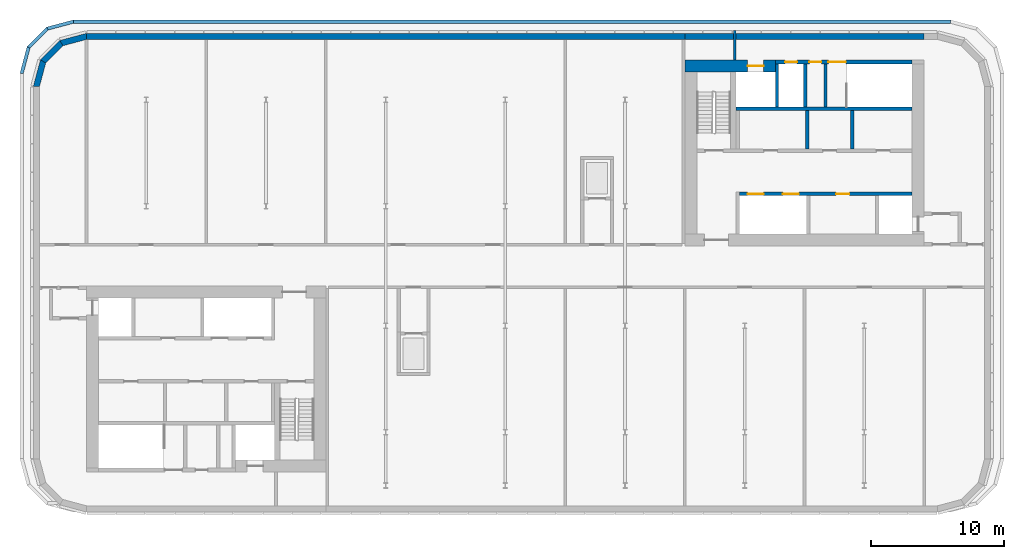
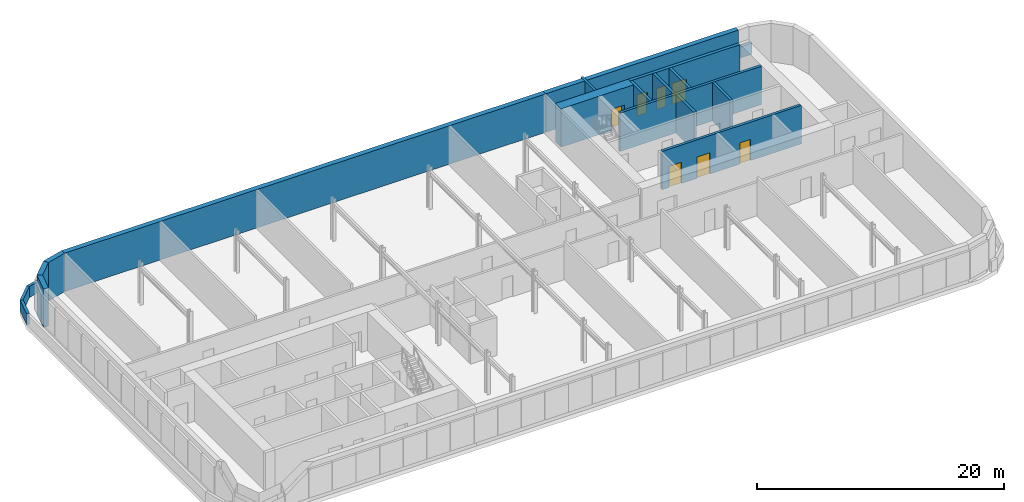
# One storey, part 6 of 10: 19 walls, 7 doors, 7 openings.
"""IFC4 building model written with IfcOpenShell, lengths in metres."""

from ifc_helpers import new_model, si_unit, direction, frame, frame_2d, origin, place, context, subcontext, project, spatial, polyline, rectangle, outline, extrude, material, layer, layer_set, type_object, element, fill, save


model = new_model("IFC4")

# Units and contexts
model_context = context("Model", 3, precision=1e-05, world=origin(), true_north=direction((0.0, 1.0)))
body_context = subcontext(model_context, "Body", "Model", "MODEL_VIEW")
ifc_project = project(units=[si_unit("LENGTHUNIT", "METRE"), si_unit("AREAUNIT", "SQUARE_METRE"), si_unit("VOLUMEUNIT", "CUBIC_METRE"), si_unit("PLANEANGLEUNIT", "RADIAN"), si_unit("MASSUNIT", "GRAM", prefix="KILO")], contexts=[model_context])

# Site, building, storey
site_placement = place(None, origin())
site = spatial("IfcSite", under=ifc_project, at=site_placement, CompositionType="ELEMENT")
building_placement = place(site_placement, origin())
building = spatial("IfcBuilding", under=site, at=building_placement, Name="Kajstack Hotel Tower", CompositionType="ELEMENT")
storey_placement = place(building_placement, frame((0.0, 0.0, 313.60009765625)))
storey = spatial("IfcBuildingStorey", under=building, at=storey_placement, Name="L79", CompositionType="ELEMENT", Elevation=313.60009765625)

# Wall, opening, door
ifc_material_1 = material(Name="Concrete C60/75", Category="concrete")
ifc_layer_1 = layer(ifc_material_1, 0.89990234375)
ifc_layer_set_1 = layer_set([ifc_layer_1], Name="Core wall 900")
wall_type_1 = type_object("IfcWallType", Name="Core wall 900", PredefinedType="SHEAR", material=ifc_layer_set_1)
wall_1_placement = place(storey_placement, frame((13.5, 15.050048828125, 0.0), z_axis=(0.0, 0.0, 1.0), x_axis=(1.0, 0.0, 0.0)))
wall_1 = element("IfcWall", 1, at=wall_1_placement, inside=storey, type_object=wall_type_1, Name="Core wall E RS", PredefinedType="SHEAR", context=body_context, shape_type="SweptSolid", body=[
    extrude(rectangle(XDim=6.800048828125, YDim=0.89990234375, at=frame_2d((3.39990234375, 0.0))), origin(), (0.0, 0.0, 1.0), 3.7998046875),
])
opening_1_placement = place(wall_1_placement, frame((4.72509765625, 0.0, 0.0)))
opening_1 = element("IfcOpeningElement", 2, at=opening_1_placement, cuts=wall_1, Name="Opening LD-SV2", PredefinedType="OPENING", context=body_context, shape_type="SweptSolid", body=[
    extrude(rectangle(XDim=1.199951171875, YDim=2.10009765625, at=frame_2d((0.60009765625, 1.050048828125))), frame((0.0, 0.4599609375, 0.0), z_axis=(0.0, -1.0, 0.0), x_axis=(1.0, 0.0, 0.0)), (0.0, 0.0, 1.0), 0.919921875),
])
ifc_material_2 = material(Name="Stainless steel", Category="steel")
door_type_1 = type_object("IfcDoorType", Name="Lift landing door 1200", OperationType="SLIDING_TO_LEFT", PredefinedType="DOOR", material=ifc_material_2)
door_1_placement = place(opening_1_placement, origin())
door_1 = element("IfcDoor", 3, at=door_1_placement, inside=storey, type_object=door_type_1, Name="Landing door SV2", OperationType="SLIDING_TO_LEFT", OverallHeight=2.10009765625, OverallWidth=1.199951171875, PredefinedType="DOOR", context=body_context, shape_type="SweptSolid", body=[
    extrude(rectangle(XDim=1.199951171875, YDim=2.10009765625, at=frame_2d((0.60009765625, 1.050048828125))), frame((0.0, 0.02490234375, 0.0), z_axis=(0.0, -1.0, 0.0), x_axis=(1.0, 0.0, 0.0)), (0.0, 0.0, 1.0), 0.050048828125),
])
fill(opening_1, door_1)

# Walls
ifc_material_3 = material(Name="Concrete C40/50", Category="concrete")
ifc_layer_2 = layer(ifc_material_3, 0.449951171875)
ifc_layer_set_2 = layer_set([ifc_layer_2], Name="EW-CORE")
wall_type_2 = type_object("IfcWallType", Name="EW-CORE", PredefinedType="SOLIDWALL", material=ifc_layer_set_2)
wall_2_placement = place(storey_placement, frame((31.5, 17.27490234375, 0.0), z_axis=(0.0, 0.0, 1.0), x_axis=(-1.0, 0.0, 0.0)))
element("IfcWall", 4, at=wall_2_placement, inside=storey, type_object=wall_type_2, Name="E-wall-L79-11-01", PredefinedType="SOLIDWALL", context=body_context, shape_type="SweptSolid", body=[
    extrude(rectangle(XDim=18.0, YDim=0.449951171875, at=frame_2d((9.0, 0.0))), origin(), (0.0, 0.0, 1.0), 3.7998046875),
])
ifc_material_4 = material(Name="Zinc-clad block masonry", Category="masonry")
ifc_layer_3 = layer(ifc_material_4, 0.449951171875)
ifc_layer_set_3 = layer_set([ifc_layer_3], Name="EW-ZINC")
wall_type_3 = type_object("IfcWallType", Name="EW-ZINC", PredefinedType="SOLIDWALL", material=ifc_layer_set_3)
wall_3_placement = place(storey_placement, frame((13.5, 17.27490234375, 0.0), z_axis=(0.0, 0.0, 1.0), x_axis=(-1.0, 0.0, 0.0)))
element("IfcWall", 5, at=wall_3_placement, inside=storey, type_object=wall_type_3, Name="E-wall-L79-11-02", PredefinedType="SOLIDWALL", context=body_context, shape_type="SweptSolid", body=[
    extrude(rectangle(XDim=45.0, YDim=0.449951171875, at=frame_2d((22.5, 0.0))), origin(), (0.0, 0.0, 1.0), 3.7998046875),
])
wall_4_placement = place(storey_placement, frame((-31.441650390625, 17.28271484375, 0.0), z_axis=(0.0, 0.0, 1.0), x_axis=(-0.965926999034, -0.25881466832, 0.0)))
element("IfcWall", 6, at=wall_4_placement, inside=storey, type_object=wall_type_3, Name="E-wall-L79-12-00", PredefinedType="SOLIDWALL", context=body_context, shape_type="SweptSolid", body=[
    extrude(outline(polyline([(0.000244140625, -0.22509765625), (2.070556640625, -0.224853515625), (1.9501953125, 0.22509765625), (0.12060546875, 0.22509765625), (0.000244140625, -0.22509765625)])), origin(), (0.0, 0.0, 1.0), 3.7998046875),
])
wall_5_placement = place(storey_placement, frame((-33.3408203125, 16.804931640625, 0.0), z_axis=(0.0, 0.0, 1.0), x_axis=(-0.707106781187, -0.707106781187, 0.0)))
element("IfcWall", 7, at=wall_5_placement, inside=storey, type_object=wall_type_3, Name="E-wall-L79-13-00", PredefinedType="SOLIDWALL", context=body_context, shape_type="SweptSolid", body=[
    extrude(outline(polyline([(0.0, -0.22509765625), (2.070556640625, -0.22509765625), (1.949951171875, 0.224853515625), (0.12060546875, 0.224853515625), (0.0, -0.22509765625)])), origin(), (0.0, 0.0, 1.0), 3.7998046875),
])
wall_6_placement = place(storey_placement, frame((-34.746826171875, 15.441650390625, 0.0), z_axis=(0.0, 0.0, 1.0), x_axis=(-0.25881466832, -0.965926999034, 0.0)))
element("IfcWall", 8, at=wall_6_placement, inside=storey, type_object=wall_type_3, Name="E-wall-L79-14-00", PredefinedType="SOLIDWALL", context=body_context, shape_type="SweptSolid", body=[
    extrude(outline(polyline([(-0.000244140625, -0.224853515625), (2.0703125, -0.22509765625), (1.949951171875, 0.22509765625), (0.120361328125, 0.22509765625), (-0.000244140625, -0.224853515625)])), origin(), (0.0, 0.0, 1.0), 3.7998046875),
])
ifc_layer_4 = layer(ifc_material_4, 0.25)
ifc_layer_set_4 = layer_set([ifc_layer_4], Name="PARAPET-ZINC")
wall_type_4 = type_object("IfcWallType", Name="PARAPET-ZINC", PredefinedType="PARAPET", material=ifc_layer_set_4)
wall_7_placement = place(storey_placement, origin())
element("IfcWall", 9, at=wall_7_placement, inside=storey, type_object=wall_type_4, Name="Parapet L79-01-01-05", PredefinedType="PARAPET", context=body_context, shape_type="SweptSolid", body=[
    extrude(outline(polyline([(-36.5, 14.5), (-36.25, 14.467041015625), (-35.739990234375, 16.37060546875), (-35.964111328125, 16.5), (-36.5, 14.5)])), origin(), (0.0, 0.0, 1.0), 1.099853515625),
])
wall_8_placement = place(storey_placement, origin())
element("IfcWall", 10, at=wall_8_placement, inside=storey, type_object=wall_type_4, Name="Parapet L79-01-01-06", PredefinedType="PARAPET", context=body_context, shape_type="SweptSolid", body=[
    extrude(outline(polyline([(-35.964111328125, 16.5), (-35.739990234375, 16.37060546875), (-34.37060546875, 17.739990234375), (-34.5, 17.964111328125), (-35.964111328125, 16.5)])), origin(), (0.0, 0.0, 1.0), 1.099853515625),
])
wall_9_placement = place(storey_placement, origin())
element("IfcWall", 11, at=wall_9_placement, inside=storey, type_object=wall_type_4, Name="Parapet L79-01-01-07", PredefinedType="PARAPET", context=body_context, shape_type="SweptSolid", body=[
    extrude(outline(polyline([(-34.5, 17.964111328125), (-34.37060546875, 17.739990234375), (-32.467041015625, 18.25), (-32.5, 18.5), (-34.5, 17.964111328125)])), origin(), (0.0, 0.0, 1.0), 1.099853515625),
])
wall_10_placement = place(storey_placement, origin())
element("IfcWall", 12, at=wall_10_placement, inside=storey, type_object=wall_type_4, Name="Parapet L79-01-01-08", PredefinedType="PARAPET", context=body_context, shape_type="SweptSolid", body=[
    extrude(outline(polyline([(-32.5, 18.5), (-32.467041015625, 18.25), (33.467041015625, 18.25), (33.5, 18.5), (-32.5, 18.5)])), origin(), (0.0, 0.0, 1.0), 1.099853515625),
])
ifc_material_5 = material(Name="Concrete block masonry", Category="masonry")
ifc_layer_5 = layer(ifc_material_5, 0.25)
ifc_layer_set_5 = layer_set([ifc_layer_5], Name="Riser partition 250")
wall_type_5 = type_object("IfcWallType", Name="Riser partition 250", PredefinedType="PARTITIONING", material=ifc_layer_set_5)
for number, where, z_axis, x_axis, name in (
    (13, (26.10009765625, 8.800048828125, 0.0), (0.0, 0.0, 1.0), (0.0, 1.0, 0.0), "Partition E BF0"),
    (14, (22.699951171875, 8.800048828125, 0.0), (0.0, 0.0, 1.0), (0.0, 1.0, 0.0), "Partition E BF1"),
):
    element("IfcWall", number, at=place(storey_placement, frame(where, z_axis=z_axis, x_axis=x_axis)), inside=storey, type_object=wall_type_5, Name=name, PredefinedType="PARTITIONING", context=body_context, shape_type="SweptSolid", body=[
        extrude(rectangle(XDim=2.89990234375, YDim=0.25, at=frame_2d((1.449951171875, 0.0))), origin(), (0.0, 0.0, 1.0), 3.7998046875),
    ])
wall_11_placement = place(storey_placement, frame((22.550048828125, 11.949951171875, 0.0), z_axis=(0.0, 0.0, 1.0), x_axis=(0.0, 1.0, 0.0)))
element("IfcWall", 15, at=wall_11_placement, inside=storey, type_object=wall_type_5, Name="Partition E SZ0", PredefinedType="PARTITIONING", context=body_context, shape_type="SweptSolid", body=[
    extrude(rectangle(XDim=3.25, YDim=0.25, at=frame_2d((1.625, 0.0))), origin(), (0.0, 0.0, 1.0), 3.7998046875),
])
ifc_material_6 = material(Name="Gypsum board on steel studs, mineral wool", Category="steel")
ifc_layer_6 = layer(ifc_material_6, 0.199951171875)
ifc_layer_set_6 = layer_set([ifc_layer_6], Name="Service partition 200")
wall_type_6 = type_object("IfcWallType", Name="Service partition 200", PredefinedType="PARTITIONING", material=ifc_layer_set_6)
wall_12_placement = place(storey_placement, frame((17.25, 15.5, 0.0), z_axis=(0.0, 0.0, 1.0), x_axis=(0.0, 1.0, 0.0)))
element("IfcWall", 16, at=wall_12_placement, inside=storey, type_object=wall_type_6, Name="Partition E SCE", PredefinedType="PARTITIONING", context=body_context, shape_type="SweptSolid", body=[
    extrude(rectangle(XDim=2.199951171875, YDim=0.199951171875, at=frame_2d((1.10009765625, 0.0))), origin(), (0.0, 0.0, 1.0), 3.7998046875),
])

# Wall, openings, doors
ifc_material_7 = material(Name="Concrete C50/60", Category="concrete")
ifc_layer_7 = layer(ifc_material_7, 0.25)
ifc_layer_set_7 = layer_set([ifc_layer_7], Name="Shaft wall 250")
wall_type_7 = type_object("IfcWallType", Name="Shaft wall 250", PredefinedType="SHEAR", material=ifc_layer_set_7)
wall_13_placement = place(storey_placement, frame((20.300048828125, 15.35009765625, 0.0), z_axis=(0.0, 0.0, 1.0), x_axis=(1.0, 0.0, 0.0)))
wall_13 = element("IfcWall", 17, at=wall_13_placement, inside=storey, type_object=wall_type_7, Name="Core wall E RSS", PredefinedType="SHEAR", context=body_context, shape_type="SweptSolid", body=[
    extrude(rectangle(XDim=10.300048828125, YDim=0.300048828125, at=frame_2d((5.14990234375, 0.0))), origin(), (0.0, 0.0, 1.0), 3.7998046875),
])
opening_2_placement = place(wall_13_placement, frame((4.0, 0.0, 0.0)))
opening_2 = element("IfcOpeningElement", 18, at=opening_2_placement, cuts=wall_13, Name="Opening 79E11", PredefinedType="OPENING", context=body_context, shape_type="SweptSolid", body=[
    extrude(rectangle(XDim=1.300048828125, YDim=2.10009765625, at=frame_2d((0.64990234375, 1.050048828125))), frame((0.0, 0.159912109375, 0.0), z_axis=(0.0, -1.0, 0.0), x_axis=(1.0, 0.0, 0.0)), (0.0, 0.0, 1.0), 0.320068359375),
])
opening_3_placement = place(wall_13_placement, frame((2.5625, 0.0, 0.0)))
opening_3 = element("IfcOpeningElement", 19, at=opening_3_placement, cuts=wall_13, Name="Opening 79E12", PredefinedType="OPENING", context=body_context, shape_type="SweptSolid", body=[
    extrude(rectangle(XDim=0.89990234375, YDim=2.10009765625, at=frame_2d((0.449951171875, 1.050048828125))), frame((0.0, 0.159912109375, 0.0), z_axis=(0.0, -1.0, 0.0), x_axis=(1.0, 0.0, 0.0)), (0.0, 0.0, 1.0), 0.320068359375),
])
opening_4_placement = place(wall_13_placement, frame((0.737548828125, 0.0, 0.0)))
opening_4 = element("IfcOpeningElement", 20, at=opening_4_placement, cuts=wall_13, Name="Opening 79E13", PredefinedType="OPENING", context=body_context, shape_type="SweptSolid", body=[
    extrude(rectangle(XDim=0.89990234375, YDim=2.10009765625, at=frame_2d((0.449951171875, 1.050048828125))), frame((0.0, 0.159912109375, 0.0), z_axis=(0.0, -1.0, 0.0), x_axis=(1.0, 0.0, 0.0)), (0.0, 0.0, 1.0), 0.320068359375),
])
ifc_material_8 = material(Name="Steel leaf, fire-rated", Category="steel")
door_type_2 = type_object("IfcDoorType", Name="Riser door 900", OperationType="SINGLE_SWING_LEFT", PredefinedType="DOOR", material=ifc_material_8)
door_2_placement = place(opening_4_placement, origin())
door_2 = element("IfcDoor", 21, at=door_2_placement, inside=storey, type_object=door_type_2, Name="Door 79E13", OperationType="SINGLE_SWING_RIGHT", OverallHeight=2.10009765625, OverallWidth=0.89990234375, PredefinedType="DOOR", context=body_context, shape_type="SweptSolid", body=[
    extrude(rectangle(XDim=0.89990234375, YDim=2.10009765625, at=frame_2d((0.449951171875, 1.050048828125))), frame((0.0, 0.02490234375, 0.0), z_axis=(0.0, -1.0, 0.0), x_axis=(1.0, 0.0, 0.0)), (0.0, 0.0, 1.0), 0.050048828125),
])
fill(opening_4, door_2)
ifc_material_9 = material(Name="Timber leaf, fire-rated", Category="wood")
door_type_3 = type_object("IfcDoorType", Name="Service door 900", OperationType="SINGLE_SWING_LEFT", PredefinedType="DOOR", material=ifc_material_9)
door_3_placement = place(opening_3_placement, origin())
door_3 = element("IfcDoor", 22, at=door_3_placement, inside=storey, type_object=door_type_3, Name="Door 79E12", OperationType="SINGLE_SWING_RIGHT", OverallHeight=2.10009765625, OverallWidth=0.89990234375, PredefinedType="DOOR", context=body_context, shape_type="SweptSolid", body=[
    extrude(rectangle(XDim=0.89990234375, YDim=2.10009765625, at=frame_2d((0.449951171875, 1.050048828125))), frame((0.0, 0.02490234375, 0.0), z_axis=(0.0, -1.0, 0.0), x_axis=(1.0, 0.0, 0.0)), (0.0, 0.0, 1.0), 0.050048828125),
])
fill(opening_3, door_3)
door_type_4 = type_object("IfcDoorType", Name="Stair door 1300", OperationType="SINGLE_SWING_LEFT", PredefinedType="DOOR", material=ifc_material_8)
door_4_placement = place(opening_2_placement, origin())
door_4 = element("IfcDoor", 23, at=door_4_placement, inside=storey, type_object=door_type_4, Name="Door 79E11", OperationType="SINGLE_SWING_LEFT", OverallHeight=2.10009765625, OverallWidth=1.300048828125, PredefinedType="DOOR", context=body_context, shape_type="SweptSolid", body=[
    extrude(rectangle(XDim=1.300048828125, YDim=2.10009765625, at=frame_2d((0.64990234375, 1.050048828125))), frame((0.0, 0.02490234375, 0.0), z_axis=(0.0, -1.0, 0.0), x_axis=(1.0, 0.0, 0.0)), (0.0, 0.0, 1.0), 0.050048828125),
])
fill(opening_2, door_4)

wall_14_placement = place(storey_placement, frame((17.60009765625, 5.425048828125, 0.0), z_axis=(0.0, 0.0, 1.0), x_axis=(1.0, 0.0, 0.0)))
wall_14 = element("IfcWall", 24, at=wall_14_placement, inside=storey, type_object=wall_type_7, Name="Core wall E FA", PredefinedType="SHEAR", context=body_context, shape_type="SweptSolid", body=[
    extrude(rectangle(XDim=13.0, YDim=0.25, at=frame_2d((6.5, 0.0))), origin(), (0.0, 0.0, 1.0), 3.7998046875),
])
opening_5_placement = place(wall_14_placement, frame((3.27490234375, 0.0, 0.0)))
opening_5 = element("IfcOpeningElement", 25, at=opening_5_placement, cuts=wall_14, Name="Opening LD-HR3", PredefinedType="OPENING", context=body_context, shape_type="SweptSolid", body=[
    extrude(rectangle(XDim=1.199951171875, YDim=2.10009765625, at=frame_2d((0.60009765625, 1.050048828125))), frame((0.0, 0.135009765625, 0.0), z_axis=(0.0, -1.0, 0.0), x_axis=(1.0, 0.0, 0.0)), (0.0, 0.0, 1.0), 0.27001953125),
])
opening_6_placement = place(wall_14_placement, frame((0.625, 0.0, 0.0)))
opening_6 = element("IfcOpeningElement", 26, at=opening_6_placement, cuts=wall_14, Name="Opening LD-HR4", PredefinedType="OPENING", context=body_context, shape_type="SweptSolid", body=[
    extrude(rectangle(XDim=1.199951171875, YDim=2.10009765625, at=frame_2d((0.60009765625, 1.050048828125))), frame((0.0, 0.135009765625, 0.0), z_axis=(0.0, -1.0, 0.0), x_axis=(1.0, 0.0, 0.0)), (0.0, 0.0, 1.0), 0.27001953125),
])
opening_7_placement = place(wall_14_placement, frame((7.27490234375, 0.0, 0.0)))
opening_7 = element("IfcOpeningElement", 27, at=opening_7_placement, cuts=wall_14, Name="Opening 79E17", PredefinedType="OPENING", context=body_context, shape_type="SweptSolid", body=[
    extrude(rectangle(XDim=1.0, YDim=2.10009765625, at=frame_2d((0.5, 1.050048828125))), frame((0.0, 0.135009765625, 0.0), z_axis=(0.0, -1.0, 0.0), x_axis=(1.0, 0.0, 0.0)), (0.0, 0.0, 1.0), 0.27001953125),
])
door_5_placement = place(opening_5_placement, origin())
door_5 = element("IfcDoor", 28, at=door_5_placement, inside=storey, type_object=door_type_1, Name="Landing door HR3", OperationType="SLIDING_TO_RIGHT", OverallHeight=2.10009765625, OverallWidth=1.199951171875, PredefinedType="DOOR", context=body_context, shape_type="SweptSolid", body=[
    extrude(rectangle(XDim=1.199951171875, YDim=2.10009765625, at=frame_2d((0.60009765625, 1.050048828125))), frame((0.0, 0.02490234375, 0.0), z_axis=(0.0, -1.0, 0.0), x_axis=(1.0, 0.0, 0.0)), (0.0, 0.0, 1.0), 0.050048828125),
])
fill(opening_5, door_5)
door_6_placement = place(opening_6_placement, origin())
door_6 = element("IfcDoor", 29, at=door_6_placement, inside=storey, type_object=door_type_1, Name="Landing door HR4", OperationType="SLIDING_TO_LEFT", OverallHeight=2.10009765625, OverallWidth=1.199951171875, PredefinedType="DOOR", context=body_context, shape_type="SweptSolid", body=[
    extrude(rectangle(XDim=1.199951171875, YDim=2.10009765625, at=frame_2d((0.60009765625, 1.050048828125))), frame((0.0, 0.02490234375, 0.0), z_axis=(0.0, -1.0, 0.0), x_axis=(1.0, 0.0, 0.0)), (0.0, 0.0, 1.0), 0.050048828125),
])
fill(opening_6, door_6)
door_type_5 = type_object("IfcDoorType", Name="Service room door 1000", OperationType="SINGLE_SWING_LEFT", PredefinedType="DOOR", material=ifc_material_9)
door_7_placement = place(opening_7_placement, origin())
door_7 = element("IfcDoor", 30, at=door_7_placement, inside=storey, type_object=door_type_5, Name="Door 79E17", OperationType="SINGLE_SWING_LEFT", OverallHeight=2.10009765625, OverallWidth=1.0, PredefinedType="DOOR", context=body_context, shape_type="SweptSolid", body=[
    extrude(rectangle(XDim=1.0, YDim=2.10009765625, at=frame_2d((0.5, 1.050048828125))), frame((0.0, 0.02490234375, 0.0), z_axis=(0.0, -1.0, 0.0), x_axis=(1.0, 0.0, 0.0)), (0.0, 0.0, 1.0), 0.050048828125),
])
fill(opening_7, door_7)

# Walls
wall_15_placement = place(storey_placement, frame((17.35009765625, 11.824951171875, 0.0), z_axis=(0.0, 0.0, 1.0), x_axis=(1.0, 0.0, 0.0)))
element("IfcWall", 31, at=wall_15_placement, inside=storey, type_object=wall_type_7, Name="Core wall E RB", PredefinedType="SHEAR", context=body_context, shape_type="SweptSolid", body=[
    extrude(rectangle(XDim=13.25, YDim=0.25, at=frame_2d((6.625, 0.0))), origin(), (0.0, 0.0, 1.0), 3.7998046875),
])
wall_16_placement = place(storey_placement, frame((20.425048828125, 11.949951171875, 0.0), z_axis=(0.0, 0.0, 1.0), x_axis=(0.0, 1.0, 0.0)))
element("IfcWall", 32, at=wall_16_placement, inside=storey, type_object=wall_type_7, Name="Core wall E SVW", PredefinedType="SHEAR", context=body_context, shape_type="SweptSolid", body=[
    extrude(rectangle(XDim=3.25, YDim=0.25, at=frame_2d((1.625, 0.0))), origin(), (0.0, 0.0, 1.0), 3.7998046875),
])
ifc_layer_8 = layer(ifc_material_7, 0.35009765625)
ifc_layer_set_8 = layer_set([ifc_layer_8], Name="Stair enclosure wall 350")
wall_type_8 = type_object("IfcWallType", Name="Stair enclosure wall 350", PredefinedType="SHEAR", material=ifc_layer_set_8)
wall_17_placement = place(storey_placement, frame((24.074951171875, 11.949951171875, 0.0), z_axis=(0.0, 0.0, 1.0), x_axis=(0.0, 1.0, 0.0)))
element("IfcWall", 33, at=wall_17_placement, inside=storey, type_object=wall_type_8, Name="Core wall E W3E", PredefinedType="SHEAR", context=body_context, shape_type="SweptSolid", body=[
    extrude(rectangle(XDim=3.25, YDim=0.25, at=frame_2d((1.625, 0.0))), origin(), (0.0, 0.0, 1.0), 3.7998046875),
])

save(model, "model.ifc")
